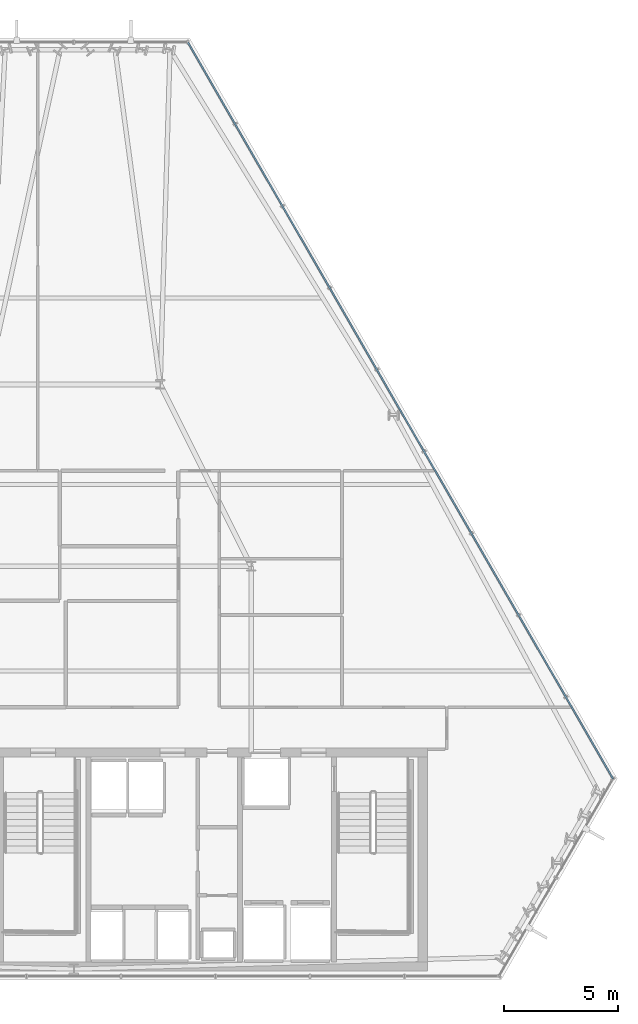
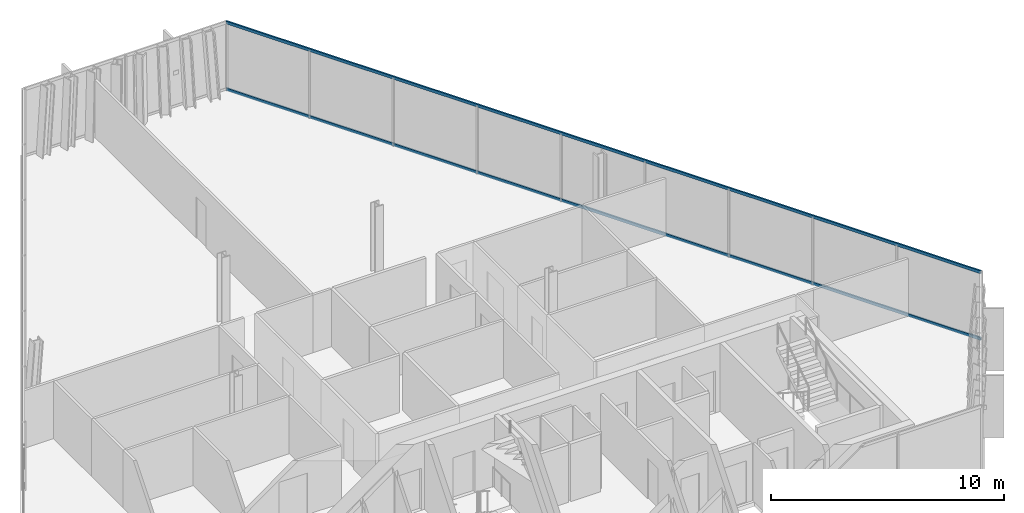
# One storey, part 20 of 35: 2 members, 1 element without a shape of its own.
"""IFC4 building model written with IfcOpenShell, lengths in metres."""

from ifc_helpers import new_model, si_unit, direction, frame, origin, origin_2d, place, context, subcontext, project, spatial, hollow_rectangle, extrude, material, layer, layer_set, material_profile, profile_set, type_object, element, aggregate, save


model = new_model("IFC4")

# Units and contexts
model_context = context("Model", 3, precision=1e-05, world=origin(), true_north=direction((0.0, 1.0)))
body_context = subcontext(model_context, "Body", "Model", "MODEL_VIEW")
ifc_project = project(units=[si_unit("LENGTHUNIT", "METRE"), si_unit("AREAUNIT", "SQUARE_METRE"), si_unit("VOLUMEUNIT", "CUBIC_METRE"), si_unit("PLANEANGLEUNIT", "RADIAN"), si_unit("MASSUNIT", "GRAM", prefix="KILO")], contexts=[model_context])

# Site, building, storey
site_placement = place(None, origin())
site = spatial("IfcSite", under=ifc_project, at=site_placement, CompositionType="ELEMENT")
building_placement = place(site_placement, origin())
building = spatial("IfcBuilding", under=site, at=building_placement, Name="Ndaravel Arena Tower", CompositionType="ELEMENT")
storey_placement = place(building_placement, frame((0.0, 0.0, 180.199951171875)))
storey = spatial("IfcBuildingStorey", under=building, at=storey_placement, Name="L43", CompositionType="ELEMENT", Elevation=180.199951171875)

# Curtain wall, members
ifc_material_1 = material(Name="Aluminium", Category="aluminium")
ifc_layer = layer(ifc_material_1, 0.179931640625)
ifc_layer_set = layer_set([ifc_layer], Name="Aluminium")
curtain_wall_type = type_object("IfcCurtainWallType", Name="CW-SYS-03", PredefinedType="NOTDEFINED", material=ifc_layer_set)
curtain_wall_placement = place(storey_placement, origin())
curtain_wall = element("IfcCurtainWall", 1, at=curtain_wall_placement, inside=storey, type_object=curtain_wall_type, Name="L43 Faceted Crystal Curtain Wall CW-L43-E03", PredefinedType="NOTDEFINED")
ifc_material_2 = material(Name="Aluminium", Category="aluminium")
ifc_material_profile = material_profile(ifc_material_2, hollow_rectangle(XDim=0.074951171875, YDim=0.14990234375, WallThickness=0.00390625, at=origin_2d()), Name="CW TRANSOM 75x150x4")
ifc_profile_set = profile_set([ifc_material_profile], Name="Aluminium")
member_type = type_object("IfcMemberType", Name="MEM-CW-TRN150", PredefinedType="USERDEFINED", material=ifc_profile_set)
member_1_placement = place(storey_placement, frame((65.72216796875, 13.852783203125, 0.0400390625), z_axis=(-0.499996270439, 0.866027557037, 0.0), x_axis=(-0.866027557037, -0.499996270439, 0.0)))
member_1 = element("IfcMember", 2, at=member_1_placement, type_object=member_type, Name="CW-L43-E03 Transom 01", ObjectType="TRANSOM", PredefinedType="USERDEFINED", context=body_context, shape_type="SweptSolid", body=[
    extrude(hollow_rectangle(XDim=0.074951171875, YDim=0.14990234375, WallThickness=0.00390625, at=origin_2d()), origin(), (0.0, 0.0, 1.0), 37.406982421875),
])
member_2_placement = place(storey_placement, frame((65.72216796875, 13.852783203125, 3.5400390625), z_axis=(-0.499996270439, 0.866027557037, 0.0), x_axis=(-0.866027557037, -0.499996270439, 0.0)))
member_2 = element("IfcMember", 3, at=member_2_placement, type_object=member_type, Name="CW-L43-E03 Transom 02", ObjectType="TRANSOM", PredefinedType="USERDEFINED", context=body_context, shape_type="SweptSolid", body=[
    extrude(hollow_rectangle(XDim=0.074951171875, YDim=0.14990234375, WallThickness=0.00390625, at=origin_2d()), origin(), (0.0, 0.0, 1.0), 37.406982421875),
])
aggregate(curtain_wall, [member_1, member_2])

save(model, "model.ifc")
